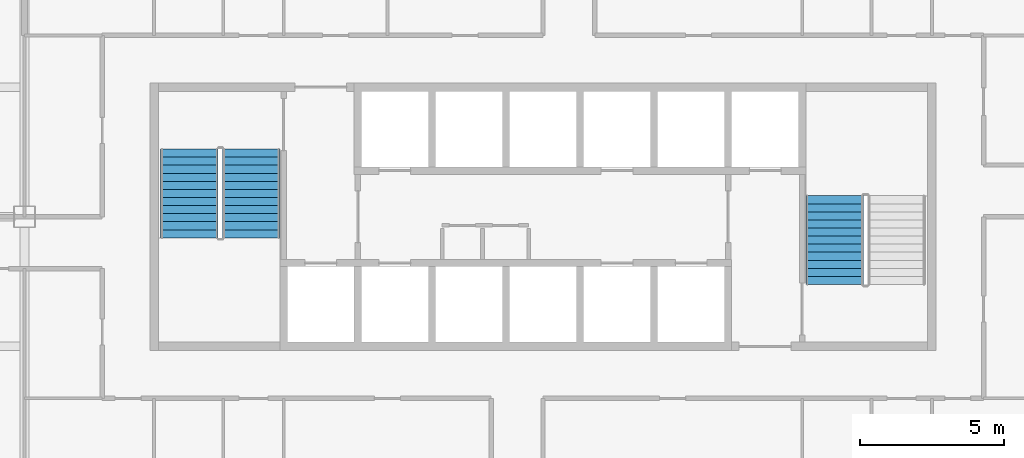
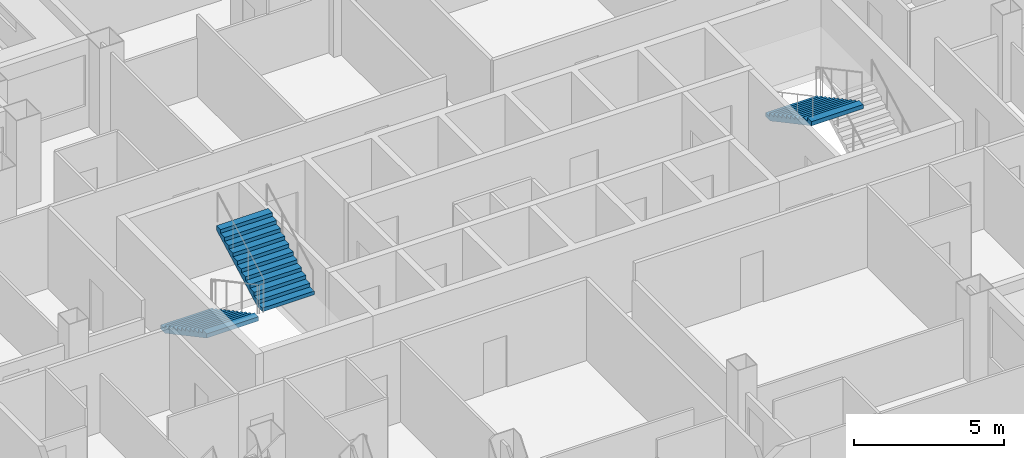
# One storey, part 11 of 15: 3 stair flights, 2 elements without a shape of their own.
"""IFC4 building model written with IfcOpenShell, lengths in metres."""

from ifc_helpers import new_model, si_unit, direction, frame, origin, place, context, subcontext, project, spatial, polygons, material, type_object, element, aggregate, save


model = new_model("IFC4")

# Units and contexts
model_context = context("Model", 3, precision=1e-05, world=origin(), true_north=direction((0.0, 1.0)))
body_context = subcontext(model_context, "Body", "Model", "MODEL_VIEW")
ifc_project = project(units=[si_unit("LENGTHUNIT", "METRE"), si_unit("AREAUNIT", "SQUARE_METRE"), si_unit("VOLUMEUNIT", "CUBIC_METRE"), si_unit("PLANEANGLEUNIT", "RADIAN"), si_unit("MASSUNIT", "GRAM", prefix="KILO")], contexts=[model_context])

# Site, building, storey
site_placement = place(None, origin())
site = spatial("IfcSite", under=ifc_project, at=site_placement, CompositionType="ELEMENT")
building_placement = place(site_placement, origin())
building = spatial("IfcBuilding", under=site, at=building_placement, Name="Caravel Reach Hotel and Residences", CompositionType="ELEMENT")
storey_placement = place(building_placement, frame((0.0, 0.0, 81.60009765625)))
storey = spatial("IfcBuildingStorey", under=building, at=storey_placement, Name="L19", CompositionType="ELEMENT", Elevation=81.60009765625)

# Stair, stair flights
ifc_material_1 = material(Name="Concrete C40", Category="concrete")
stair_type = type_object("IfcStairType", Name="Core stair", PredefinedType="HALF_TURN_STAIR", material=ifc_material_1)
stair_1_placement = place(storey_placement, origin())
stair_1 = element("IfcStair", 1, at=stair_1_placement, inside=storey, type_object=stair_type, Name="L19 Exit stair A", PredefinedType="HALF_TURN_STAIR")
ifc_material_2 = material(Name="Concrete C40", Category="concrete")
stair_flight_type = type_object("IfcStairFlightType", Name="Core stair flight", PredefinedType="STRAIGHT", material=ifc_material_2)
stair_flight_1_placement = place(storey_placement, frame((19.22509765625, 29.35009765625, 0.0), z_axis=(0.0, 0.0, 1.0), x_axis=(0.0, -1.0, 0.0)))
stair_flight_1 = element("IfcStairFlight", 2, at=stair_flight_1_placement, type_object=stair_flight_type, Name="ST-A flight 1", NumberOfRisers=12, NumberOfTreads=11, PredefinedType="STRAIGHT", RiserHeight=0.15, TreadLength=0.28, context=body_context, shape_type="Tessellation", body=[
    polygons([(0.3174408016601862, 1.0, 0.0), (0.3174408016601862, 0.6666666666666667, 0.0), (0.3174408016601862, 0.33333333333333337, 0.0), (0.3174408016601862, 0.0, 0.0), (0.3174408016601862, -0.33333333333333326, 0.0), (0.3174408016601862, -0.6666666666666667, 0.0), (0.3174408016601862, -1.0, 0.0), (3.081, 1.0, 1.479942427682043), (3.081, 0.6666666666666667, 1.479942427682043), (3.081, 0.33333333333333337, 1.479942427682043), (3.081, 0.0, 1.479942427682043), (3.081, -0.33333333333333326, 1.479942427682043), (3.081, -0.6666666666666667, 1.479942427682043), (3.081, -1.0, 1.479942427682043), (3.081, 1.0, 1.65), (3.081, 0.6666666666666667, 1.65), (3.081, 0.33333333333333337, 1.65), (3.081, 0.0, 1.65), (3.081, -0.33333333333333326, 1.65), (3.081, -0.6666666666666667, 1.65), (3.081, -1.0, 1.65), (2.8000000000000003, 1.0, 1.65), (2.8000000000000003, 0.6666666666666667, 1.65), (2.8000000000000003, 0.33333333333333337, 1.65), (2.8000000000000003, 0.0, 1.65), (2.8000000000000003, -0.33333333333333326, 1.65), (2.8000000000000003, -0.6666666666666667, 1.65), (2.8000000000000003, -1.0, 1.65), (2.8000000000000003, 1.0, 1.5), (2.8000000000000003, 0.6666666666666667, 1.5), (2.8000000000000003, 0.33333333333333337, 1.5), (2.8000000000000003, 0.0, 1.5), (2.8000000000000003, -0.33333333333333326, 1.5), (2.8000000000000003, -0.6666666666666667, 1.5), (2.8000000000000003, -1.0, 1.5), (2.5200000000000005, 1.0, 1.5), (2.5200000000000005, 0.6666666666666667, 1.5), (2.5200000000000005, 0.33333333333333337, 1.5), (2.5200000000000005, 0.0, 1.5), (2.5200000000000005, -0.33333333333333326, 1.5), (2.5200000000000005, -0.6666666666666667, 1.5), (2.5200000000000005, -1.0, 1.5), (2.5200000000000005, 1.0, 1.3499999999999999), (2.5200000000000005, 0.6666666666666667, 1.3499999999999999), (2.5200000000000005, 0.33333333333333337, 1.3499999999999999), (2.5200000000000005, 0.0, 1.3499999999999999), (2.5200000000000005, -0.33333333333333326, 1.3499999999999999), (2.5200000000000005, -0.6666666666666667, 1.3499999999999999), (2.5200000000000005, -1.0, 1.3499999999999999), (2.24, 1.0, 1.3499999999999999), (2.24, 0.6666666666666667, 1.3499999999999999), (2.24, 0.33333333333333337, 1.3499999999999999), (2.24, 0.0, 1.3499999999999999), (2.24, -0.33333333333333326, 1.3499999999999999), (2.24, -0.6666666666666667, 1.3499999999999999), (2.24, -1.0, 1.3499999999999999), (2.24, 1.0, 1.2), (2.24, 0.6666666666666667, 1.2), (2.24, 0.33333333333333337, 1.2), (2.24, 0.0, 1.2), (2.24, -0.33333333333333326, 1.2), (2.24, -0.6666666666666667, 1.2), (2.24, -1.0, 1.2), (1.9600000000000002, 1.0, 1.2), (1.9600000000000002, 0.6666666666666667, 1.2), (1.9600000000000002, 0.33333333333333337, 1.2), (1.9600000000000002, 0.0, 1.2), (1.9600000000000002, -0.33333333333333326, 1.2), (1.9600000000000002, -0.6666666666666667, 1.2), (1.9600000000000002, -1.0, 1.2), (1.9600000000000002, 1.0, 1.05), (1.9600000000000002, 0.6666666666666667, 1.05), (1.9600000000000002, 0.33333333333333337, 1.05), (1.9600000000000002, 0.0, 1.05), (1.9600000000000002, -0.33333333333333326, 1.05), (1.9600000000000002, -0.6666666666666667, 1.05), (1.9600000000000002, -1.0, 1.05), (1.6800000000000002, 1.0, 1.05), (1.6800000000000002, 0.6666666666666667, 1.05), (1.6800000000000002, 0.33333333333333337, 1.05), (1.6800000000000002, 0.0, 1.05), (1.6800000000000002, -0.33333333333333326, 1.05), (1.6800000000000002, -0.6666666666666667, 1.05), (1.6800000000000002, -1.0, 1.05), (1.6800000000000002, 1.0, 0.8999999999999999), (1.6800000000000002, 0.6666666666666667, 0.8999999999999999), (1.6800000000000002, 0.33333333333333337, 0.8999999999999999), (1.6800000000000002, 0.0, 0.8999999999999999), (1.6800000000000002, -0.33333333333333326, 0.8999999999999999), (1.6800000000000002, -0.6666666666666667, 0.8999999999999999), (1.6800000000000002, -1.0, 0.8999999999999999), (1.4000000000000001, 1.0, 0.8999999999999999), (1.4000000000000001, 0.6666666666666667, 0.8999999999999999), (1.4000000000000001, 0.33333333333333337, 0.8999999999999999), (1.4000000000000001, 0.0, 0.8999999999999999), (1.4000000000000001, -0.33333333333333326, 0.8999999999999999), (1.4000000000000001, -0.6666666666666667, 0.8999999999999999), (1.4000000000000001, -1.0, 0.8999999999999999), (1.4000000000000001, 1.0, 0.75), (1.4000000000000001, 0.6666666666666667, 0.75), (1.4000000000000001, 0.33333333333333337, 0.75), (1.4000000000000001, 0.0, 0.75), (1.4000000000000001, -0.33333333333333326, 0.75), (1.4000000000000001, -0.6666666666666667, 0.75), (1.4000000000000001, -1.0, 0.75), (1.12, 1.0, 0.75), (1.12, 0.6666666666666667, 0.75), (1.12, 0.33333333333333337, 0.75), (1.12, 0.0, 0.75), (1.12, -0.33333333333333326, 0.75), (1.12, -0.6666666666666667, 0.75), (1.12, -1.0, 0.75), (1.12, 1.0, 0.6), (1.12, 0.6666666666666667, 0.6), (1.12, 0.33333333333333337, 0.6), (1.12, 0.0, 0.6), (1.12, -0.33333333333333326, 0.6), (1.12, -0.6666666666666667, 0.6), (1.12, -1.0, 0.6), (0.8400000000000001, 1.0, 0.6), (0.8400000000000001, 0.6666666666666667, 0.6), (0.8400000000000001, 0.33333333333333337, 0.6), (0.8400000000000001, 0.0, 0.6), (0.8400000000000001, -0.33333333333333326, 0.6), (0.8400000000000001, -0.6666666666666667, 0.6), (0.8400000000000001, -1.0, 0.6), (0.8400000000000001, 1.0, 0.44999999999999996), (0.8400000000000001, 0.6666666666666667, 0.44999999999999996), (0.8400000000000001, 0.33333333333333337, 0.44999999999999996), (0.8400000000000001, 0.0, 0.44999999999999996), (0.8400000000000001, -0.33333333333333326, 0.44999999999999996), (0.8400000000000001, -0.6666666666666667, 0.44999999999999996), (0.8400000000000001, -1.0, 0.44999999999999996), (0.56, 1.0, 0.44999999999999996), (0.56, 0.6666666666666667, 0.44999999999999996), (0.56, 0.33333333333333337, 0.44999999999999996), (0.56, 0.0, 0.44999999999999996), (0.56, -0.33333333333333326, 0.44999999999999996), (0.56, -0.6666666666666667, 0.44999999999999996), (0.56, -1.0, 0.44999999999999996), (0.56, 1.0, 0.3), (0.56, 0.6666666666666667, 0.3), (0.56, 0.33333333333333337, 0.3), (0.56, 0.0, 0.3), (0.56, -0.33333333333333326, 0.3), (0.56, -0.6666666666666667, 0.3), (0.56, -1.0, 0.3), (0.28, 1.0, 0.3), (0.28, 0.6666666666666667, 0.3), (0.28, 0.33333333333333337, 0.3), (0.28, 0.0, 0.3), (0.28, -0.33333333333333326, 0.3), (0.28, -0.6666666666666667, 0.3), (0.28, -1.0, 0.3), (0.28, 1.0, 0.15), (0.28, 0.6666666666666667, 0.15), (0.28, 0.33333333333333337, 0.15), (0.28, 0.0, 0.15), (0.28, -0.33333333333333326, 0.15), (0.28, -0.6666666666666667, 0.15), (0.28, -1.0, 0.15), (-0.001, 1.0, 0.15), (-0.001, 0.6666666666666667, 0.15), (-0.001, 0.33333333333333337, 0.15), (-0.001, 0.0, 0.15), (-0.001, -0.33333333333333326, 0.15), (-0.001, -0.6666666666666667, 0.15), (-0.001, -1.0, 0.15), (-0.001, 1.0, 0.0), (-0.001, 0.6666666666666667, 0.0), (-0.001, 0.33333333333333337, 0.0), (-0.001, 0.0, 0.0), (-0.001, -0.33333333333333326, 0.0), (-0.001, -0.6666666666666667, 0.0), (-0.001, -1.0, 0.0)], [[[169, 162, 155, 148, 141, 134, 127, 120, 113, 106, 99, 92, 85, 78, 71, 64, 57, 50, 43, 36, 29, 22, 15, 8, 1]], [[7, 14, 21, 28, 35, 42, 49, 56, 63, 70, 77, 84, 91, 98, 105, 112, 119, 126, 133, 140, 147, 154, 161, 168, 175]], [[1, 8, 9, 2]], [[2, 9, 10, 3]], [[3, 10, 11, 4]], [[4, 11, 12, 5]], [[5, 12, 13, 6]], [[6, 13, 14, 7]], [[8, 15, 16, 9]], [[9, 16, 17, 10]], [[10, 17, 18, 11]], [[11, 18, 19, 12]], [[12, 19, 20, 13]], [[13, 20, 21, 14]], [[15, 22, 23, 16]], [[16, 23, 24, 17]], [[17, 24, 25, 18]], [[18, 25, 26, 19]], [[19, 26, 27, 20]], [[20, 27, 28, 21]], [[22, 29, 30, 23]], [[23, 30, 31, 24]], [[24, 31, 32, 25]], [[25, 32, 33, 26]], [[26, 33, 34, 27]], [[27, 34, 35, 28]], [[29, 36, 37, 30]], [[30, 37, 38, 31]], [[31, 38, 39, 32]], [[32, 39, 40, 33]], [[33, 40, 41, 34]], [[34, 41, 42, 35]], [[36, 43, 44, 37]], [[37, 44, 45, 38]], [[38, 45, 46, 39]], [[39, 46, 47, 40]], [[40, 47, 48, 41]], [[41, 48, 49, 42]], [[43, 50, 51, 44]], [[44, 51, 52, 45]], [[45, 52, 53, 46]], [[46, 53, 54, 47]], [[47, 54, 55, 48]], [[48, 55, 56, 49]], [[50, 57, 58, 51]], [[51, 58, 59, 52]], [[52, 59, 60, 53]], [[53, 60, 61, 54]], [[54, 61, 62, 55]], [[55, 62, 63, 56]], [[57, 64, 65, 58]], [[58, 65, 66, 59]], [[59, 66, 67, 60]], [[60, 67, 68, 61]], [[61, 68, 69, 62]], [[62, 69, 70, 63]], [[64, 71, 72, 65]], [[65, 72, 73, 66]], [[66, 73, 74, 67]], [[67, 74, 75, 68]], [[68, 75, 76, 69]], [[69, 76, 77, 70]], [[71, 78, 79, 72]], [[72, 79, 80, 73]], [[73, 80, 81, 74]], [[74, 81, 82, 75]], [[75, 82, 83, 76]], [[76, 83, 84, 77]], [[78, 85, 86, 79]], [[79, 86, 87, 80]], [[80, 87, 88, 81]], [[81, 88, 89, 82]], [[82, 89, 90, 83]], [[83, 90, 91, 84]], [[85, 92, 93, 86]], [[86, 93, 94, 87]], [[87, 94, 95, 88]], [[88, 95, 96, 89]], [[89, 96, 97, 90]], [[90, 97, 98, 91]], [[92, 99, 100, 93]], [[93, 100, 101, 94]], [[94, 101, 102, 95]], [[95, 102, 103, 96]], [[96, 103, 104, 97]], [[97, 104, 105, 98]], [[99, 106, 107, 100]], [[100, 107, 108, 101]], [[101, 108, 109, 102]], [[102, 109, 110, 103]], [[103, 110, 111, 104]], [[104, 111, 112, 105]], [[106, 113, 114, 107]], [[107, 114, 115, 108]], [[108, 115, 116, 109]], [[109, 116, 117, 110]], [[110, 117, 118, 111]], [[111, 118, 119, 112]], [[113, 120, 121, 114]], [[114, 121, 122, 115]], [[115, 122, 123, 116]], [[116, 123, 124, 117]], [[117, 124, 125, 118]], [[118, 125, 126, 119]], [[120, 127, 128, 121]], [[121, 128, 129, 122]], [[122, 129, 130, 123]], [[123, 130, 131, 124]], [[124, 131, 132, 125]], [[125, 132, 133, 126]], [[127, 134, 135, 128]], [[128, 135, 136, 129]], [[129, 136, 137, 130]], [[130, 137, 138, 131]], [[131, 138, 139, 132]], [[132, 139, 140, 133]], [[134, 141, 142, 135]], [[135, 142, 143, 136]], [[136, 143, 144, 137]], [[137, 144, 145, 138]], [[138, 145, 146, 139]], [[139, 146, 147, 140]], [[141, 148, 149, 142]], [[142, 149, 150, 143]], [[143, 150, 151, 144]], [[144, 151, 152, 145]], [[145, 152, 153, 146]], [[146, 153, 154, 147]], [[148, 155, 156, 149]], [[149, 156, 157, 150]], [[150, 157, 158, 151]], [[151, 158, 159, 152]], [[152, 159, 160, 153]], [[153, 160, 161, 154]], [[155, 162, 163, 156]], [[156, 163, 164, 157]], [[157, 164, 165, 158]], [[158, 165, 166, 159]], [[159, 166, 167, 160]], [[160, 167, 168, 161]], [[162, 169, 170, 163]], [[163, 170, 171, 164]], [[164, 171, 172, 165]], [[165, 172, 173, 166]], [[166, 173, 174, 167]], [[167, 174, 175, 168]], [[169, 1, 2, 170]], [[170, 2, 3, 171]], [[171, 3, 4, 172]], [[172, 4, 5, 173]], [[173, 5, 6, 174]], [[174, 6, 7, 175]]], closed=True),
])
stair_flight_2_placement = place(storey_placement, frame((21.375, 26.27001953125, 1.7998046875), z_axis=(0.0, 0.0, 1.0), x_axis=(0.0, 1.0, 0.0)))
stair_flight_2 = element("IfcStairFlight", 3, at=stair_flight_2_placement, type_object=stair_flight_type, Name="ST-A flight 2", NumberOfRisers=12, NumberOfTreads=11, PredefinedType="STRAIGHT", RiserHeight=0.15, TreadLength=0.28, context=body_context, shape_type="Tessellation", body=[
    polygons([(0.3174408016601862, 1.0, 0.0), (0.3174408016601862, 0.6666666666666667, 0.0), (0.3174408016601862, 0.33333333333333337, 0.0), (0.3174408016601862, 0.0, 0.0), (0.3174408016601862, -0.33333333333333326, 0.0), (0.3174408016601862, -0.6666666666666667, 0.0), (0.3174408016601862, -1.0, 0.0), (3.081, 1.0, 1.479942427682043), (3.081, 0.6666666666666667, 1.479942427682043), (3.081, 0.33333333333333337, 1.479942427682043), (3.081, 0.0, 1.479942427682043), (3.081, -0.33333333333333326, 1.479942427682043), (3.081, -0.6666666666666667, 1.479942427682043), (3.081, -1.0, 1.479942427682043), (3.081, 1.0, 1.65), (3.081, 0.6666666666666667, 1.65), (3.081, 0.33333333333333337, 1.65), (3.081, 0.0, 1.65), (3.081, -0.33333333333333326, 1.65), (3.081, -0.6666666666666667, 1.65), (3.081, -1.0, 1.65), (2.8000000000000003, 1.0, 1.65), (2.8000000000000003, 0.6666666666666667, 1.65), (2.8000000000000003, 0.33333333333333337, 1.65), (2.8000000000000003, 0.0, 1.65), (2.8000000000000003, -0.33333333333333326, 1.65), (2.8000000000000003, -0.6666666666666667, 1.65), (2.8000000000000003, -1.0, 1.65), (2.8000000000000003, 1.0, 1.5), (2.8000000000000003, 0.6666666666666667, 1.5), (2.8000000000000003, 0.33333333333333337, 1.5), (2.8000000000000003, 0.0, 1.5), (2.8000000000000003, -0.33333333333333326, 1.5), (2.8000000000000003, -0.6666666666666667, 1.5), (2.8000000000000003, -1.0, 1.5), (2.5200000000000005, 1.0, 1.5), (2.5200000000000005, 0.6666666666666667, 1.5), (2.5200000000000005, 0.33333333333333337, 1.5), (2.5200000000000005, 0.0, 1.5), (2.5200000000000005, -0.33333333333333326, 1.5), (2.5200000000000005, -0.6666666666666667, 1.5), (2.5200000000000005, -1.0, 1.5), (2.5200000000000005, 1.0, 1.3499999999999999), (2.5200000000000005, 0.6666666666666667, 1.3499999999999999), (2.5200000000000005, 0.33333333333333337, 1.3499999999999999), (2.5200000000000005, 0.0, 1.3499999999999999), (2.5200000000000005, -0.33333333333333326, 1.3499999999999999), (2.5200000000000005, -0.6666666666666667, 1.3499999999999999), (2.5200000000000005, -1.0, 1.3499999999999999), (2.24, 1.0, 1.3499999999999999), (2.24, 0.6666666666666667, 1.3499999999999999), (2.24, 0.33333333333333337, 1.3499999999999999), (2.24, 0.0, 1.3499999999999999), (2.24, -0.33333333333333326, 1.3499999999999999), (2.24, -0.6666666666666667, 1.3499999999999999), (2.24, -1.0, 1.3499999999999999), (2.24, 1.0, 1.2), (2.24, 0.6666666666666667, 1.2), (2.24, 0.33333333333333337, 1.2), (2.24, 0.0, 1.2), (2.24, -0.33333333333333326, 1.2), (2.24, -0.6666666666666667, 1.2), (2.24, -1.0, 1.2), (1.9600000000000002, 1.0, 1.2), (1.9600000000000002, 0.6666666666666667, 1.2), (1.9600000000000002, 0.33333333333333337, 1.2), (1.9600000000000002, 0.0, 1.2), (1.9600000000000002, -0.33333333333333326, 1.2), (1.9600000000000002, -0.6666666666666667, 1.2), (1.9600000000000002, -1.0, 1.2), (1.9600000000000002, 1.0, 1.05), (1.9600000000000002, 0.6666666666666667, 1.05), (1.9600000000000002, 0.33333333333333337, 1.05), (1.9600000000000002, 0.0, 1.05), (1.9600000000000002, -0.33333333333333326, 1.05), (1.9600000000000002, -0.6666666666666667, 1.05), (1.9600000000000002, -1.0, 1.05), (1.6800000000000002, 1.0, 1.05), (1.6800000000000002, 0.6666666666666667, 1.05), (1.6800000000000002, 0.33333333333333337, 1.05), (1.6800000000000002, 0.0, 1.05), (1.6800000000000002, -0.33333333333333326, 1.05), (1.6800000000000002, -0.6666666666666667, 1.05), (1.6800000000000002, -1.0, 1.05), (1.6800000000000002, 1.0, 0.8999999999999999), (1.6800000000000002, 0.6666666666666667, 0.8999999999999999), (1.6800000000000002, 0.33333333333333337, 0.8999999999999999), (1.6800000000000002, 0.0, 0.8999999999999999), (1.6800000000000002, -0.33333333333333326, 0.8999999999999999), (1.6800000000000002, -0.6666666666666667, 0.8999999999999999), (1.6800000000000002, -1.0, 0.8999999999999999), (1.4000000000000001, 1.0, 0.8999999999999999), (1.4000000000000001, 0.6666666666666667, 0.8999999999999999), (1.4000000000000001, 0.33333333333333337, 0.8999999999999999), (1.4000000000000001, 0.0, 0.8999999999999999), (1.4000000000000001, -0.33333333333333326, 0.8999999999999999), (1.4000000000000001, -0.6666666666666667, 0.8999999999999999), (1.4000000000000001, -1.0, 0.8999999999999999), (1.4000000000000001, 1.0, 0.75), (1.4000000000000001, 0.6666666666666667, 0.75), (1.4000000000000001, 0.33333333333333337, 0.75), (1.4000000000000001, 0.0, 0.75), (1.4000000000000001, -0.33333333333333326, 0.75), (1.4000000000000001, -0.6666666666666667, 0.75), (1.4000000000000001, -1.0, 0.75), (1.12, 1.0, 0.75), (1.12, 0.6666666666666667, 0.75), (1.12, 0.33333333333333337, 0.75), (1.12, 0.0, 0.75), (1.12, -0.33333333333333326, 0.75), (1.12, -0.6666666666666667, 0.75), (1.12, -1.0, 0.75), (1.12, 1.0, 0.6), (1.12, 0.6666666666666667, 0.6), (1.12, 0.33333333333333337, 0.6), (1.12, 0.0, 0.6), (1.12, -0.33333333333333326, 0.6), (1.12, -0.6666666666666667, 0.6), (1.12, -1.0, 0.6), (0.8400000000000001, 1.0, 0.6), (0.8400000000000001, 0.6666666666666667, 0.6), (0.8400000000000001, 0.33333333333333337, 0.6), (0.8400000000000001, 0.0, 0.6), (0.8400000000000001, -0.33333333333333326, 0.6), (0.8400000000000001, -0.6666666666666667, 0.6), (0.8400000000000001, -1.0, 0.6), (0.8400000000000001, 1.0, 0.44999999999999996), (0.8400000000000001, 0.6666666666666667, 0.44999999999999996), (0.8400000000000001, 0.33333333333333337, 0.44999999999999996), (0.8400000000000001, 0.0, 0.44999999999999996), (0.8400000000000001, -0.33333333333333326, 0.44999999999999996), (0.8400000000000001, -0.6666666666666667, 0.44999999999999996), (0.8400000000000001, -1.0, 0.44999999999999996), (0.56, 1.0, 0.44999999999999996), (0.56, 0.6666666666666667, 0.44999999999999996), (0.56, 0.33333333333333337, 0.44999999999999996), (0.56, 0.0, 0.44999999999999996), (0.56, -0.33333333333333326, 0.44999999999999996), (0.56, -0.6666666666666667, 0.44999999999999996), (0.56, -1.0, 0.44999999999999996), (0.56, 1.0, 0.3), (0.56, 0.6666666666666667, 0.3), (0.56, 0.33333333333333337, 0.3), (0.56, 0.0, 0.3), (0.56, -0.33333333333333326, 0.3), (0.56, -0.6666666666666667, 0.3), (0.56, -1.0, 0.3), (0.28, 1.0, 0.3), (0.28, 0.6666666666666667, 0.3), (0.28, 0.33333333333333337, 0.3), (0.28, 0.0, 0.3), (0.28, -0.33333333333333326, 0.3), (0.28, -0.6666666666666667, 0.3), (0.28, -1.0, 0.3), (0.28, 1.0, 0.15), (0.28, 0.6666666666666667, 0.15), (0.28, 0.33333333333333337, 0.15), (0.28, 0.0, 0.15), (0.28, -0.33333333333333326, 0.15), (0.28, -0.6666666666666667, 0.15), (0.28, -1.0, 0.15), (-0.001, 1.0, 0.15), (-0.001, 0.6666666666666667, 0.15), (-0.001, 0.33333333333333337, 0.15), (-0.001, 0.0, 0.15), (-0.001, -0.33333333333333326, 0.15), (-0.001, -0.6666666666666667, 0.15), (-0.001, -1.0, 0.15), (-0.001, 1.0, 0.0), (-0.001, 0.6666666666666667, 0.0), (-0.001, 0.33333333333333337, 0.0), (-0.001, 0.0, 0.0), (-0.001, -0.33333333333333326, 0.0), (-0.001, -0.6666666666666667, 0.0), (-0.001, -1.0, 0.0)], [[[169, 162, 155, 148, 141, 134, 127, 120, 113, 106, 99, 92, 85, 78, 71, 64, 57, 50, 43, 36, 29, 22, 15, 8, 1]], [[7, 14, 21, 28, 35, 42, 49, 56, 63, 70, 77, 84, 91, 98, 105, 112, 119, 126, 133, 140, 147, 154, 161, 168, 175]], [[1, 8, 9, 2]], [[2, 9, 10, 3]], [[3, 10, 11, 4]], [[4, 11, 12, 5]], [[5, 12, 13, 6]], [[6, 13, 14, 7]], [[8, 15, 16, 9]], [[9, 16, 17, 10]], [[10, 17, 18, 11]], [[11, 18, 19, 12]], [[12, 19, 20, 13]], [[13, 20, 21, 14]], [[15, 22, 23, 16]], [[16, 23, 24, 17]], [[17, 24, 25, 18]], [[18, 25, 26, 19]], [[19, 26, 27, 20]], [[20, 27, 28, 21]], [[22, 29, 30, 23]], [[23, 30, 31, 24]], [[24, 31, 32, 25]], [[25, 32, 33, 26]], [[26, 33, 34, 27]], [[27, 34, 35, 28]], [[29, 36, 37, 30]], [[30, 37, 38, 31]], [[31, 38, 39, 32]], [[32, 39, 40, 33]], [[33, 40, 41, 34]], [[34, 41, 42, 35]], [[36, 43, 44, 37]], [[37, 44, 45, 38]], [[38, 45, 46, 39]], [[39, 46, 47, 40]], [[40, 47, 48, 41]], [[41, 48, 49, 42]], [[43, 50, 51, 44]], [[44, 51, 52, 45]], [[45, 52, 53, 46]], [[46, 53, 54, 47]], [[47, 54, 55, 48]], [[48, 55, 56, 49]], [[50, 57, 58, 51]], [[51, 58, 59, 52]], [[52, 59, 60, 53]], [[53, 60, 61, 54]], [[54, 61, 62, 55]], [[55, 62, 63, 56]], [[57, 64, 65, 58]], [[58, 65, 66, 59]], [[59, 66, 67, 60]], [[60, 67, 68, 61]], [[61, 68, 69, 62]], [[62, 69, 70, 63]], [[64, 71, 72, 65]], [[65, 72, 73, 66]], [[66, 73, 74, 67]], [[67, 74, 75, 68]], [[68, 75, 76, 69]], [[69, 76, 77, 70]], [[71, 78, 79, 72]], [[72, 79, 80, 73]], [[73, 80, 81, 74]], [[74, 81, 82, 75]], [[75, 82, 83, 76]], [[76, 83, 84, 77]], [[78, 85, 86, 79]], [[79, 86, 87, 80]], [[80, 87, 88, 81]], [[81, 88, 89, 82]], [[82, 89, 90, 83]], [[83, 90, 91, 84]], [[85, 92, 93, 86]], [[86, 93, 94, 87]], [[87, 94, 95, 88]], [[88, 95, 96, 89]], [[89, 96, 97, 90]], [[90, 97, 98, 91]], [[92, 99, 100, 93]], [[93, 100, 101, 94]], [[94, 101, 102, 95]], [[95, 102, 103, 96]], [[96, 103, 104, 97]], [[97, 104, 105, 98]], [[99, 106, 107, 100]], [[100, 107, 108, 101]], [[101, 108, 109, 102]], [[102, 109, 110, 103]], [[103, 110, 111, 104]], [[104, 111, 112, 105]], [[106, 113, 114, 107]], [[107, 114, 115, 108]], [[108, 115, 116, 109]], [[109, 116, 117, 110]], [[110, 117, 118, 111]], [[111, 118, 119, 112]], [[113, 120, 121, 114]], [[114, 121, 122, 115]], [[115, 122, 123, 116]], [[116, 123, 124, 117]], [[117, 124, 125, 118]], [[118, 125, 126, 119]], [[120, 127, 128, 121]], [[121, 128, 129, 122]], [[122, 129, 130, 123]], [[123, 130, 131, 124]], [[124, 131, 132, 125]], [[125, 132, 133, 126]], [[127, 134, 135, 128]], [[128, 135, 136, 129]], [[129, 136, 137, 130]], [[130, 137, 138, 131]], [[131, 138, 139, 132]], [[132, 139, 140, 133]], [[134, 141, 142, 135]], [[135, 142, 143, 136]], [[136, 143, 144, 137]], [[137, 144, 145, 138]], [[138, 145, 146, 139]], [[139, 146, 147, 140]], [[141, 148, 149, 142]], [[142, 149, 150, 143]], [[143, 150, 151, 144]], [[144, 151, 152, 145]], [[145, 152, 153, 146]], [[146, 153, 154, 147]], [[148, 155, 156, 149]], [[149, 156, 157, 150]], [[150, 157, 158, 151]], [[151, 158, 159, 152]], [[152, 159, 160, 153]], [[153, 160, 161, 154]], [[155, 162, 163, 156]], [[156, 163, 164, 157]], [[157, 164, 165, 158]], [[158, 165, 166, 159]], [[159, 166, 167, 160]], [[160, 167, 168, 161]], [[162, 169, 170, 163]], [[163, 170, 171, 164]], [[164, 171, 172, 165]], [[165, 172, 173, 166]], [[166, 173, 174, 167]], [[167, 174, 175, 168]], [[169, 1, 2, 170]], [[170, 2, 3, 171]], [[171, 3, 4, 172]], [[172, 4, 5, 173]], [[173, 5, 6, 174]], [[174, 6, 7, 175]]], closed=True),
])
aggregate(stair_1, [stair_flight_1, stair_flight_2])

# Stair, stair flight
stair_2_placement = place(storey_placement, origin())
stair_2 = element("IfcStair", 4, at=stair_2_placement, inside=storey, type_object=stair_type, Name="L19 Exit stair B", PredefinedType="HALF_TURN_STAIR")
stair_flight_3_placement = place(storey_placement, frame((41.625, 27.72998046875, 1.7998046875), z_axis=(0.0, 0.0, 1.0), x_axis=(0.0, -1.0, 0.0)))
stair_flight_3 = element("IfcStairFlight", 5, at=stair_flight_3_placement, type_object=stair_flight_type, Name="ST-B flight 2", NumberOfRisers=12, NumberOfTreads=11, PredefinedType="STRAIGHT", RiserHeight=0.15, TreadLength=0.28, context=body_context, shape_type="Tessellation", body=[
    polygons([(0.3174408016601862, 1.0, 0.0), (0.3174408016601862, 0.6666666666666667, 0.0), (0.3174408016601862, 0.33333333333333337, 0.0), (0.3174408016601862, 0.0, 0.0), (0.3174408016601862, -0.33333333333333326, 0.0), (0.3174408016601862, -0.6666666666666667, 0.0), (0.3174408016601862, -1.0, 0.0), (3.081, 1.0, 1.479942427682043), (3.081, 0.6666666666666667, 1.479942427682043), (3.081, 0.33333333333333337, 1.479942427682043), (3.081, 0.0, 1.479942427682043), (3.081, -0.33333333333333326, 1.479942427682043), (3.081, -0.6666666666666667, 1.479942427682043), (3.081, -1.0, 1.479942427682043), (3.081, 1.0, 1.65), (3.081, 0.6666666666666667, 1.65), (3.081, 0.33333333333333337, 1.65), (3.081, 0.0, 1.65), (3.081, -0.33333333333333326, 1.65), (3.081, -0.6666666666666667, 1.65), (3.081, -1.0, 1.65), (2.8000000000000003, 1.0, 1.65), (2.8000000000000003, 0.6666666666666667, 1.65), (2.8000000000000003, 0.33333333333333337, 1.65), (2.8000000000000003, 0.0, 1.65), (2.8000000000000003, -0.33333333333333326, 1.65), (2.8000000000000003, -0.6666666666666667, 1.65), (2.8000000000000003, -1.0, 1.65), (2.8000000000000003, 1.0, 1.5), (2.8000000000000003, 0.6666666666666667, 1.5), (2.8000000000000003, 0.33333333333333337, 1.5), (2.8000000000000003, 0.0, 1.5), (2.8000000000000003, -0.33333333333333326, 1.5), (2.8000000000000003, -0.6666666666666667, 1.5), (2.8000000000000003, -1.0, 1.5), (2.5200000000000005, 1.0, 1.5), (2.5200000000000005, 0.6666666666666667, 1.5), (2.5200000000000005, 0.33333333333333337, 1.5), (2.5200000000000005, 0.0, 1.5), (2.5200000000000005, -0.33333333333333326, 1.5), (2.5200000000000005, -0.6666666666666667, 1.5), (2.5200000000000005, -1.0, 1.5), (2.5200000000000005, 1.0, 1.3499999999999999), (2.5200000000000005, 0.6666666666666667, 1.3499999999999999), (2.5200000000000005, 0.33333333333333337, 1.3499999999999999), (2.5200000000000005, 0.0, 1.3499999999999999), (2.5200000000000005, -0.33333333333333326, 1.3499999999999999), (2.5200000000000005, -0.6666666666666667, 1.3499999999999999), (2.5200000000000005, -1.0, 1.3499999999999999), (2.24, 1.0, 1.3499999999999999), (2.24, 0.6666666666666667, 1.3499999999999999), (2.24, 0.33333333333333337, 1.3499999999999999), (2.24, 0.0, 1.3499999999999999), (2.24, -0.33333333333333326, 1.3499999999999999), (2.24, -0.6666666666666667, 1.3499999999999999), (2.24, -1.0, 1.3499999999999999), (2.24, 1.0, 1.2), (2.24, 0.6666666666666667, 1.2), (2.24, 0.33333333333333337, 1.2), (2.24, 0.0, 1.2), (2.24, -0.33333333333333326, 1.2), (2.24, -0.6666666666666667, 1.2), (2.24, -1.0, 1.2), (1.9600000000000002, 1.0, 1.2), (1.9600000000000002, 0.6666666666666667, 1.2), (1.9600000000000002, 0.33333333333333337, 1.2), (1.9600000000000002, 0.0, 1.2), (1.9600000000000002, -0.33333333333333326, 1.2), (1.9600000000000002, -0.6666666666666667, 1.2), (1.9600000000000002, -1.0, 1.2), (1.9600000000000002, 1.0, 1.05), (1.9600000000000002, 0.6666666666666667, 1.05), (1.9600000000000002, 0.33333333333333337, 1.05), (1.9600000000000002, 0.0, 1.05), (1.9600000000000002, -0.33333333333333326, 1.05), (1.9600000000000002, -0.6666666666666667, 1.05), (1.9600000000000002, -1.0, 1.05), (1.6800000000000002, 1.0, 1.05), (1.6800000000000002, 0.6666666666666667, 1.05), (1.6800000000000002, 0.33333333333333337, 1.05), (1.6800000000000002, 0.0, 1.05), (1.6800000000000002, -0.33333333333333326, 1.05), (1.6800000000000002, -0.6666666666666667, 1.05), (1.6800000000000002, -1.0, 1.05), (1.6800000000000002, 1.0, 0.8999999999999999), (1.6800000000000002, 0.6666666666666667, 0.8999999999999999), (1.6800000000000002, 0.33333333333333337, 0.8999999999999999), (1.6800000000000002, 0.0, 0.8999999999999999), (1.6800000000000002, -0.33333333333333326, 0.8999999999999999), (1.6800000000000002, -0.6666666666666667, 0.8999999999999999), (1.6800000000000002, -1.0, 0.8999999999999999), (1.4000000000000001, 1.0, 0.8999999999999999), (1.4000000000000001, 0.6666666666666667, 0.8999999999999999), (1.4000000000000001, 0.33333333333333337, 0.8999999999999999), (1.4000000000000001, 0.0, 0.8999999999999999), (1.4000000000000001, -0.33333333333333326, 0.8999999999999999), (1.4000000000000001, -0.6666666666666667, 0.8999999999999999), (1.4000000000000001, -1.0, 0.8999999999999999), (1.4000000000000001, 1.0, 0.75), (1.4000000000000001, 0.6666666666666667, 0.75), (1.4000000000000001, 0.33333333333333337, 0.75), (1.4000000000000001, 0.0, 0.75), (1.4000000000000001, -0.33333333333333326, 0.75), (1.4000000000000001, -0.6666666666666667, 0.75), (1.4000000000000001, -1.0, 0.75), (1.12, 1.0, 0.75), (1.12, 0.6666666666666667, 0.75), (1.12, 0.33333333333333337, 0.75), (1.12, 0.0, 0.75), (1.12, -0.33333333333333326, 0.75), (1.12, -0.6666666666666667, 0.75), (1.12, -1.0, 0.75), (1.12, 1.0, 0.6), (1.12, 0.6666666666666667, 0.6), (1.12, 0.33333333333333337, 0.6), (1.12, 0.0, 0.6), (1.12, -0.33333333333333326, 0.6), (1.12, -0.6666666666666667, 0.6), (1.12, -1.0, 0.6), (0.8400000000000001, 1.0, 0.6), (0.8400000000000001, 0.6666666666666667, 0.6), (0.8400000000000001, 0.33333333333333337, 0.6), (0.8400000000000001, 0.0, 0.6), (0.8400000000000001, -0.33333333333333326, 0.6), (0.8400000000000001, -0.6666666666666667, 0.6), (0.8400000000000001, -1.0, 0.6), (0.8400000000000001, 1.0, 0.44999999999999996), (0.8400000000000001, 0.6666666666666667, 0.44999999999999996), (0.8400000000000001, 0.33333333333333337, 0.44999999999999996), (0.8400000000000001, 0.0, 0.44999999999999996), (0.8400000000000001, -0.33333333333333326, 0.44999999999999996), (0.8400000000000001, -0.6666666666666667, 0.44999999999999996), (0.8400000000000001, -1.0, 0.44999999999999996), (0.56, 1.0, 0.44999999999999996), (0.56, 0.6666666666666667, 0.44999999999999996), (0.56, 0.33333333333333337, 0.44999999999999996), (0.56, 0.0, 0.44999999999999996), (0.56, -0.33333333333333326, 0.44999999999999996), (0.56, -0.6666666666666667, 0.44999999999999996), (0.56, -1.0, 0.44999999999999996), (0.56, 1.0, 0.3), (0.56, 0.6666666666666667, 0.3), (0.56, 0.33333333333333337, 0.3), (0.56, 0.0, 0.3), (0.56, -0.33333333333333326, 0.3), (0.56, -0.6666666666666667, 0.3), (0.56, -1.0, 0.3), (0.28, 1.0, 0.3), (0.28, 0.6666666666666667, 0.3), (0.28, 0.33333333333333337, 0.3), (0.28, 0.0, 0.3), (0.28, -0.33333333333333326, 0.3), (0.28, -0.6666666666666667, 0.3), (0.28, -1.0, 0.3), (0.28, 1.0, 0.15), (0.28, 0.6666666666666667, 0.15), (0.28, 0.33333333333333337, 0.15), (0.28, 0.0, 0.15), (0.28, -0.33333333333333326, 0.15), (0.28, -0.6666666666666667, 0.15), (0.28, -1.0, 0.15), (-0.001, 1.0, 0.15), (-0.001, 0.6666666666666667, 0.15), (-0.001, 0.33333333333333337, 0.15), (-0.001, 0.0, 0.15), (-0.001, -0.33333333333333326, 0.15), (-0.001, -0.6666666666666667, 0.15), (-0.001, -1.0, 0.15), (-0.001, 1.0, 0.0), (-0.001, 0.6666666666666667, 0.0), (-0.001, 0.33333333333333337, 0.0), (-0.001, 0.0, 0.0), (-0.001, -0.33333333333333326, 0.0), (-0.001, -0.6666666666666667, 0.0), (-0.001, -1.0, 0.0)], [[[169, 162, 155, 148, 141, 134, 127, 120, 113, 106, 99, 92, 85, 78, 71, 64, 57, 50, 43, 36, 29, 22, 15, 8, 1]], [[7, 14, 21, 28, 35, 42, 49, 56, 63, 70, 77, 84, 91, 98, 105, 112, 119, 126, 133, 140, 147, 154, 161, 168, 175]], [[1, 8, 9, 2]], [[2, 9, 10, 3]], [[3, 10, 11, 4]], [[4, 11, 12, 5]], [[5, 12, 13, 6]], [[6, 13, 14, 7]], [[8, 15, 16, 9]], [[9, 16, 17, 10]], [[10, 17, 18, 11]], [[11, 18, 19, 12]], [[12, 19, 20, 13]], [[13, 20, 21, 14]], [[15, 22, 23, 16]], [[16, 23, 24, 17]], [[17, 24, 25, 18]], [[18, 25, 26, 19]], [[19, 26, 27, 20]], [[20, 27, 28, 21]], [[22, 29, 30, 23]], [[23, 30, 31, 24]], [[24, 31, 32, 25]], [[25, 32, 33, 26]], [[26, 33, 34, 27]], [[27, 34, 35, 28]], [[29, 36, 37, 30]], [[30, 37, 38, 31]], [[31, 38, 39, 32]], [[32, 39, 40, 33]], [[33, 40, 41, 34]], [[34, 41, 42, 35]], [[36, 43, 44, 37]], [[37, 44, 45, 38]], [[38, 45, 46, 39]], [[39, 46, 47, 40]], [[40, 47, 48, 41]], [[41, 48, 49, 42]], [[43, 50, 51, 44]], [[44, 51, 52, 45]], [[45, 52, 53, 46]], [[46, 53, 54, 47]], [[47, 54, 55, 48]], [[48, 55, 56, 49]], [[50, 57, 58, 51]], [[51, 58, 59, 52]], [[52, 59, 60, 53]], [[53, 60, 61, 54]], [[54, 61, 62, 55]], [[55, 62, 63, 56]], [[57, 64, 65, 58]], [[58, 65, 66, 59]], [[59, 66, 67, 60]], [[60, 67, 68, 61]], [[61, 68, 69, 62]], [[62, 69, 70, 63]], [[64, 71, 72, 65]], [[65, 72, 73, 66]], [[66, 73, 74, 67]], [[67, 74, 75, 68]], [[68, 75, 76, 69]], [[69, 76, 77, 70]], [[71, 78, 79, 72]], [[72, 79, 80, 73]], [[73, 80, 81, 74]], [[74, 81, 82, 75]], [[75, 82, 83, 76]], [[76, 83, 84, 77]], [[78, 85, 86, 79]], [[79, 86, 87, 80]], [[80, 87, 88, 81]], [[81, 88, 89, 82]], [[82, 89, 90, 83]], [[83, 90, 91, 84]], [[85, 92, 93, 86]], [[86, 93, 94, 87]], [[87, 94, 95, 88]], [[88, 95, 96, 89]], [[89, 96, 97, 90]], [[90, 97, 98, 91]], [[92, 99, 100, 93]], [[93, 100, 101, 94]], [[94, 101, 102, 95]], [[95, 102, 103, 96]], [[96, 103, 104, 97]], [[97, 104, 105, 98]], [[99, 106, 107, 100]], [[100, 107, 108, 101]], [[101, 108, 109, 102]], [[102, 109, 110, 103]], [[103, 110, 111, 104]], [[104, 111, 112, 105]], [[106, 113, 114, 107]], [[107, 114, 115, 108]], [[108, 115, 116, 109]], [[109, 116, 117, 110]], [[110, 117, 118, 111]], [[111, 118, 119, 112]], [[113, 120, 121, 114]], [[114, 121, 122, 115]], [[115, 122, 123, 116]], [[116, 123, 124, 117]], [[117, 124, 125, 118]], [[118, 125, 126, 119]], [[120, 127, 128, 121]], [[121, 128, 129, 122]], [[122, 129, 130, 123]], [[123, 130, 131, 124]], [[124, 131, 132, 125]], [[125, 132, 133, 126]], [[127, 134, 135, 128]], [[128, 135, 136, 129]], [[129, 136, 137, 130]], [[130, 137, 138, 131]], [[131, 138, 139, 132]], [[132, 139, 140, 133]], [[134, 141, 142, 135]], [[135, 142, 143, 136]], [[136, 143, 144, 137]], [[137, 144, 145, 138]], [[138, 145, 146, 139]], [[139, 146, 147, 140]], [[141, 148, 149, 142]], [[142, 149, 150, 143]], [[143, 150, 151, 144]], [[144, 151, 152, 145]], [[145, 152, 153, 146]], [[146, 153, 154, 147]], [[148, 155, 156, 149]], [[149, 156, 157, 150]], [[150, 157, 158, 151]], [[151, 158, 159, 152]], [[152, 159, 160, 153]], [[153, 160, 161, 154]], [[155, 162, 163, 156]], [[156, 163, 164, 157]], [[157, 164, 165, 158]], [[158, 165, 166, 159]], [[159, 166, 167, 160]], [[160, 167, 168, 161]], [[162, 169, 170, 163]], [[163, 170, 171, 164]], [[164, 171, 172, 165]], [[165, 172, 173, 166]], [[166, 173, 174, 167]], [[167, 174, 175, 168]], [[169, 1, 2, 170]], [[170, 2, 3, 171]], [[171, 3, 4, 172]], [[172, 4, 5, 173]], [[173, 5, 6, 174]], [[174, 6, 7, 175]]], closed=True),
])
aggregate(stair_2, [stair_flight_3])

save(model, "model.ifc")
